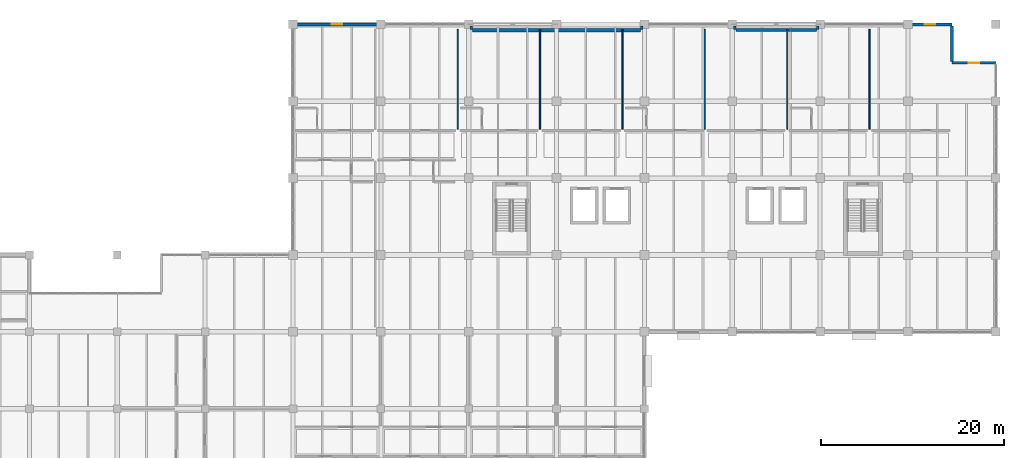
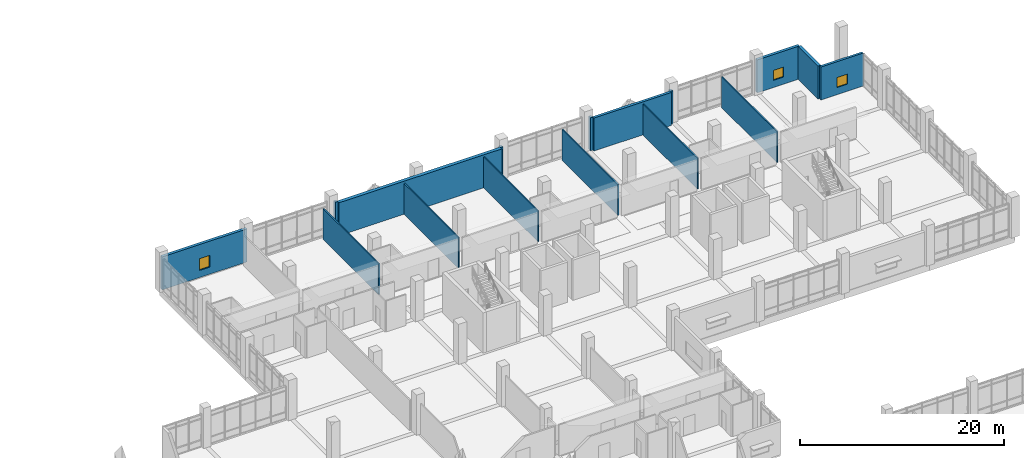
# One storey, part 134 of 152: 16 walls, 3 windows, 3 openings.
"""IFC4 building model written with IfcOpenShell, lengths in metres."""

import ifcopenshell
import ifcopenshell.guid

model = None  # the IFC model being written
_history = None  # IfcOwnerHistory: only IFC2X3 demands one
_inside = {}  # id of a spatial element -> (the spatial element, [elements in it])
_under = {}  # id of a project, library or spatial element -> (it, [spatial elements below it])
_declared = {}  # id of a project -> (the project, [libraries it declares])
_typed = {}  # id of a type object -> (the type object, [elements of that type])
_made_of = {}  # id of a material, layer set ... -> (it, [elements and type objects made of it])


def new_model(schema):
    """Start an empty IFC model of exactly this schema.

    Asked for "IFC4X3", IfcOpenShell would pick the latest addendum, in which some entities
    have other attributes; the version numbers below select the first issue.
    IFC2X3 requires an IfcOwnerHistory on every rooted entity: one is made here for all.
    """
    global model, _history
    if schema == "IFC4X3":
        model = ifcopenshell.file(schema_version=(4, 3, 0, 0))
    else:
        model = ifcopenshell.file(schema=schema)
    _inside.clear()
    _under.clear()
    _declared.clear()
    _typed.clear()
    _made_of.clear()
    _history = None
    if model.schema == "IFC2X3":
        org = make("IfcOrganization", Name="unknown")
        user = make(
            "IfcPersonAndOrganization",
            ThePerson=make("IfcPerson", FamilyName="unknown"),
            TheOrganization=org,
        )
        app = make(
            "IfcApplication",
            ApplicationDeveloper=org,
            Version="unknown",
            ApplicationFullName="unknown",
            ApplicationIdentifier="unknown",
        )
        _history = make(
            "IfcOwnerHistory",
            OwningUser=user,
            OwningApplication=app,
            ChangeAction="ADDED",
            CreationDate=0,
        )
    return model


def make(cls, **values):
    """One entity of the class cls with the attributes given. An attribute that is None is left unset."""
    return model.create_entity(
        cls, **{name: value for name, value in values.items() if value is not None}
    )


def rooted(cls, **values):
    """An entity with a GlobalId (a new one), such as an element, a storey or a relation."""
    return make(cls, GlobalId=ifcopenshell.guid.new(), OwnerHistory=_history, **values)


def si_unit(unit_type, name, prefix=None):
    """IfcSIUnit, for example si_unit("LENGTHUNIT", "METRE", prefix="MILLI")."""
    return make("IfcSIUnit", UnitType=unit_type, Prefix=prefix, Name=name)


def assignment(units):
    """IfcUnitAssignment: the units of a project."""
    return None if units is None else make("IfcUnitAssignment", Units=units)


def point(xyz):
    """IfcCartesianPoint."""
    return None if xyz is None else make("IfcCartesianPoint", Coordinates=xyz)


def direction(xyz):
    """IfcDirection."""
    return None if xyz is None else make("IfcDirection", DirectionRatios=xyz)


def frame(location, z_axis=None, x_axis=None):
    """IfcAxis2Placement3D, a coordinate frame: its origin and axes. An axis left out is left unset."""
    return make(
        "IfcAxis2Placement3D",
        Location=point(location),
        Axis=direction(z_axis),
        RefDirection=direction(x_axis),
    )


def frame_2d(location, x_axis=None):
    """IfcAxis2Placement2D, a coordinate frame in the plane: its origin and x axis."""
    return make(
        "IfcAxis2Placement2D", Location=point(location), RefDirection=direction(x_axis)
    )


def origin():
    """The frame at (0, 0, 0) with its axes left unset."""
    return frame((0.0, 0.0, 0.0))


def place(relative_to, where):
    """IfcLocalPlacement: puts the frame where relative to a parent placement (None: the world)."""
    return make(
        "IfcLocalPlacement", PlacementRelTo=relative_to, RelativePlacement=where
    )


def context(
    kind, dimensions, precision=None, world=None, true_north=None, identifier=None
):
    """IfcGeometricRepresentationContext, for example the 3D "Model" context."""
    return make(
        "IfcGeometricRepresentationContext",
        ContextIdentifier=identifier,
        ContextType=kind,
        CoordinateSpaceDimension=dimensions,
        Precision=precision,
        WorldCoordinateSystem=world,
        TrueNorth=true_north,
    )


def subcontext(parent, identifier, kind, view, scale=None):
    """IfcGeometricRepresentationSubContext, for example "Body" below "Model"."""
    return make(
        "IfcGeometricRepresentationSubContext",
        ContextIdentifier=identifier,
        ContextType=kind,
        ParentContext=parent,
        TargetScale=scale,
        TargetView=view,
    )


def project(units=None, contexts=None):
    """IfcProject with its units and contexts."""
    return rooted(
        "IfcProject",
        Name="project",
        RepresentationContexts=contexts,
        UnitsInContext=assignment(units),
    )


def spatial(cls, under=None, at=None, **own):
    """A site, building, storey or space (cls), placed at a placement, below another one or the project."""
    s = rooted(cls, ObjectPlacement=at, **own)
    if under is not None:
        _under.setdefault(under.id(), (under, []))[1].append(s)
    return s


def profile(cls, at=None, kind="AREA", **sizes):
    """A parametric profile (cls). Its sizes go by their IFC names, for example OverallWidth=200.0."""
    return make(cls, ProfileType=kind, Position=at, **sizes)


def rectangle(**sizes):
    """IfcRectangleProfileDef."""
    return profile("IfcRectangleProfileDef", **sizes)


def extrude(swept, where, along, depth):
    """IfcExtrudedAreaSolid: the profile swept, set in the frame where, extruded along a direction by depth."""
    return make(
        "IfcExtrudedAreaSolid",
        SweptArea=swept,
        Position=where,
        ExtrudedDirection=direction(along),
        Depth=depth,
    )


def shape(context_of_items, identifier, shape_type, items):
    """IfcShapeRepresentation: the items that make up one representation, for example the "Body"."""
    return make(
        "IfcShapeRepresentation",
        ContextOfItems=context_of_items,
        RepresentationIdentifier=identifier,
        RepresentationType=shape_type,
        Items=items,
    )


def material(Name=None, Category=None):
    """IfcMaterial."""
    return make("IfcMaterial", Name=Name, Category=Category)


def layer(
    of_material, thickness, ventilated=None, Name=None, Category=None, Priority=None
):
    """IfcMaterialLayer: one layer of a wall or slab, of a material (None: an air gap)."""
    return make(
        "IfcMaterialLayer",
        Material=of_material,
        LayerThickness=thickness,
        IsVentilated=ventilated,
        Name=Name,
        Category=Category,
        Priority=Priority,
    )


def layer_set(layers, Name=None):
    """IfcMaterialLayerSet."""
    return make("IfcMaterialLayerSet", MaterialLayers=layers, LayerSetName=Name)


def made_of(thing, what):
    """Note that an element or type object is made of a material, layer set ...; save() writes the relation."""
    if what is not None:
        _made_of.setdefault(what.id(), (what, []))[1].append(thing)
    return thing


def type_object(cls, material=None, **own):
    """A type object (cls), such as IfcWallType, which elements share."""
    return made_of(rooted(cls, **own), material)


def element(
    cls,
    number,
    at=None,
    inside=None,
    cuts=None,
    type_object=None,
    material=None,
    context=None,
    identifier="Body",
    shape_type=None,
    held_by="IfcProductDefinitionShape",
    body=None,
    shapes=None,
    **own,
):
    """One element of the class cls, such as IfcWall. Its Tag is "e" and its number.

    at: its placement. inside: the storey or other place that contains it. cuts: it is an
    opening in that element (IfcRelVoidsElement). A single representation is given by context,
    identifier, shape_type and body (its items); several are given by shapes. held_by: the class
    of the entity that holds the representations. save() writes the other relations.
    """
    e = rooted(cls, Tag="e%d" % number, ObjectPlacement=at, **own)
    if body is not None:
        shapes = [shape(context, identifier, shape_type, body)]
    if shapes is not None:
        e.Representation = make(held_by, Representations=shapes)
    if inside is not None:
        _inside.setdefault(inside.id(), (inside, []))[1].append(e)
    if cuts is not None:
        rooted(
            "IfcRelVoidsElement", RelatingBuildingElement=cuts, RelatedOpeningElement=e
        )
    if type_object is not None:
        _typed.setdefault(type_object.id(), (type_object, []))[1].append(e)
    return made_of(e, material)


def fill(opening, filler):
    """IfcRelFillsElement: the door or window that sits in an opening."""
    return rooted(
        "IfcRelFillsElement",
        RelatingOpeningElement=opening,
        RelatedBuildingElement=filler,
    )


def aggregate(whole, parts):
    """IfcRelAggregates: a whole, such as a stair, and the parts it consists of."""
    return rooted("IfcRelAggregates", RelatingObject=whole, RelatedObjects=parts)


def save(model, path):
    """Write the relations noted so far, then the file.

    IfcRelAggregates (storeys below a building ...), IfcRelContainedInSpatialStructure (elements
    in a storey), IfcRelDefinesByType, IfcRelAssociatesMaterial and IfcRelDeclares: one each for
    every whole, place, type object, material and project.
    """
    for whole, parts in _under.values():
        aggregate(whole, parts)
    for where, things in _inside.values():
        rooted(
            "IfcRelContainedInSpatialStructure",
            RelatedElements=things,
            RelatingStructure=where,
        )
    for kind, things in _typed.values():
        rooted("IfcRelDefinesByType", RelatedObjects=things, RelatingType=kind)
    for what, things in _made_of.values():
        rooted("IfcRelAssociatesMaterial", RelatedObjects=things, RelatingMaterial=what)
    for by, libraries in _declared.values():
        rooted("IfcRelDeclares", RelatingContext=by, RelatedDefinitions=libraries)
    model.write(path)


model = new_model("IFC4")

# Units and contexts
model_context = context("Model", 3, precision=1e-05, world=origin(), true_north=direction((0.0, 1.0)))
body_context = subcontext(model_context, "Body", "Model", "MODEL_VIEW")
ifc_project = project(units=[si_unit("LENGTHUNIT", "METRE"), si_unit("AREAUNIT", "SQUARE_METRE"), si_unit("VOLUMEUNIT", "CUBIC_METRE"), si_unit("PLANEANGLEUNIT", "RADIAN"), si_unit("MASSUNIT", "GRAM", prefix="KILO")], contexts=[model_context])

# Site, building, storey
site_placement = place(None, origin())
site = spatial("IfcSite", under=ifc_project, at=site_placement, CompositionType="ELEMENT")
building_placement = place(site_placement, origin())
building = spatial("IfcBuilding", under=site, at=building_placement, Name="Oolite Switchyard Hospital", CompositionType="ELEMENT")
storey_placement = place(building_placement, frame((0.0, 0.0, 5.10009765625)))
storey = spatial("IfcBuildingStorey", under=building, at=storey_placement, Name="L01", CompositionType="ELEMENT", Elevation=5.10009765625)

# Wall, opening, window
ifc_material_1 = material(Name="Precast oolitic limestone architectural concrete C40/50", Category="masonry")
ifc_layer_1 = layer(ifc_material_1, 0.260009765625)
ifc_layer_set_1 = layer_set([ifc_layer_1], Name="WAL-EXT-260")
wall_type_1 = type_object("IfcWallType", Name="WAL-EXT-260", PredefinedType="SOLIDWALL", material=ifc_layer_set_1)
wall_1_placement = place(storey_placement, frame((206.39990234375, 130.199951171875, 0.0), z_axis=(0.0, 0.0, 1.0), x_axis=(1.0, 0.0, 0.0)))
wall_1 = element("IfcWall", 1, at=wall_1_placement, inside=storey, type_object=wall_type_1, Name="L01 Exterior Spandrel Wall 90", PredefinedType="SOLIDWALL", context=body_context, shape_type="SweptSolid", body=[
    extrude(rectangle(XDim=4.800048828125, YDim=0.260009765625, at=frame_2d((2.39990234375, 0.0))), origin(), (0.0, 0.0, 1.0), 3.93994140625),
])
opening_1_placement = place(wall_1_placement, frame((1.824951171875, 0.0, 0.85009765625)))
opening_1 = element("IfcOpeningElement", 2, at=opening_1_placement, cuts=wall_1, Name="Opening WN-0035", PredefinedType="OPENING", context=body_context, shape_type="SweptSolid", body=[
    extrude(rectangle(XDim=1.14990234375, YDim=1.199951171875, at=frame_2d((0.574951171875, 0.60009765625))), frame((0.0, 0.14013671875, 0.0), z_axis=(0.0, -1.0, 0.0), x_axis=(1.0, 0.0, 0.0)), (0.0, 0.0, 1.0), 0.280029296875),
])
ifc_material_2 = material(Name="Thermally broken aluminum frame with laminated impact glazing", Category="aluminium")
window_type_1 = type_object("IfcWindowType", Name="WIN-IMP-115X120", PartitioningType="SINGLE_PANEL", PredefinedType="WINDOW", material=ifc_material_2)
window_1_placement = place(opening_1_placement, origin())
window_1 = element("IfcWindow", 3, at=window_1_placement, inside=storey, type_object=window_type_1, Name="L01 Hurricane Impact Window WN-0035", OverallHeight=1.199951171875, OverallWidth=1.14990234375, PartitioningType="SINGLE_PANEL", PredefinedType="WINDOW", context=body_context, shape_type="SweptSolid", body=[
    extrude(rectangle(XDim=1.14990234375, YDim=1.199951171875, at=frame_2d((0.574951171875, 0.60009765625))), frame((0.0, 0.030029296875, 0.0), z_axis=(0.0, -1.0, 0.0), x_axis=(1.0, 0.0, 0.0)), (0.0, 0.0, 1.0), 0.06005859375),
])
fill(opening_1, window_1)

# Walls
for number, where, z_axis, x_axis, name in (
    (4, (153.8798828125, 134.199951171875, 0.0), (0.0, 0.0, 1.0), (0.0, -1.0, 0.0), "L01 Brace Alcove Cheek Wall 94"),
    (5, (172.52001953125, 134.199951171875, 0.0), (0.0, 0.0, 1.0), (0.0, -1.0, 0.0), "L01 Brace Alcove Cheek Wall 95"),
    (6, (182.679931640625, 134.199951171875, 0.0), (0.0, 0.0, 1.0), (0.0, -1.0, 0.0), "L01 Brace Alcove Cheek Wall 97"),
    (7, (191.719970703125, 134.199951171875, 0.0), (0.0, 0.0, 1.0), (0.0, -1.0, 0.0), "L01 Brace Alcove Cheek Wall 98"),
):
    element("IfcWall", number, at=place(storey_placement, frame(where, z_axis=z_axis, x_axis=x_axis)), inside=storey, type_object=wall_type_1, Name=name, PredefinedType="SOLIDWALL", context=body_context, shape_type="SweptSolid", body=[
        extrude(rectangle(XDim=0.35986328125, YDim=0.260009765625, at=frame_2d((0.179931640625, 0.0))), origin(), (0.0, 0.0, 1.0), 3.93994140625),
    ])
ifc_layer_2 = layer(ifc_material_1, 0.300048828125)
ifc_layer_set_2 = layer_set([ifc_layer_2], Name="WAL-EXT-300")
wall_type_2 = type_object("IfcWallType", Name="WAL-EXT-300", PredefinedType="SOLIDWALL", material=ifc_layer_set_2)
wall_2_placement = place(storey_placement, frame((182.820068359375, 133.780029296875, 0.0), z_axis=(0.0, 0.0, 1.0), x_axis=(1.0, 0.0, 0.0)))
element("IfcWall", 8, at=wall_2_placement, inside=storey, type_object=wall_type_2, Name="L01 Exterior Spandrel Wall 99", PredefinedType="SOLIDWALL", context=body_context, shape_type="SweptSolid", body=[
    extrude(rectangle(XDim=8.760009765625, YDim=0.300048828125, at=frame_2d((4.3798828125, 0.0))), origin(), (0.0, 0.0, 1.0), 3.93994140625),
])

# Wall, opening, window
ifc_layer_3 = layer(ifc_material_1, 0.320068359375)
ifc_layer_set_3 = layer_set([ifc_layer_3], Name="WAL-EXT-320")
wall_type_3 = type_object("IfcWallType", Name="WAL-EXT-320", PredefinedType="SOLIDWALL", material=ifc_layer_set_3)
wall_3_placement = place(storey_placement, frame((134.39990234375, 134.39990234375, 0.0), z_axis=(0.0, 0.0, 1.0), x_axis=(1.0, 0.0, 0.0)))
wall_3 = element("IfcWall", 9, at=wall_3_placement, inside=storey, type_object=wall_type_3, Name="L01 Exterior Spandrel Wall 93", PredefinedType="SOLIDWALL", context=body_context, shape_type="SweptSolid", body=[
    extrude(rectangle(XDim=9.60009765625, YDim=0.320068359375, at=frame_2d((4.800048828125, 0.0))), origin(), (0.0, 0.0, 1.0), 3.93994140625),
])
opening_2_placement = place(wall_3_placement, frame((4.22509765625, 0.0, 0.85009765625)))
opening_2 = element("IfcOpeningElement", 10, at=opening_2_placement, cuts=wall_3, Name="Opening WN-0038", PredefinedType="OPENING", context=body_context, shape_type="SweptSolid", body=[
    extrude(rectangle(XDim=1.14990234375, YDim=1.39990234375, at=frame_2d((0.574951171875, 0.699951171875))), frame((0.0, 0.169921875, 0.0), z_axis=(0.0, -1.0, 0.0), x_axis=(1.0, 0.0, 0.0)), (0.0, 0.0, 1.0), 0.340087890625),
])
window_type_2 = type_object("IfcWindowType", Name="WIN-IMP-115X140", PartitioningType="SINGLE_PANEL", PredefinedType="WINDOW", material=ifc_material_2)
window_2_placement = place(opening_2_placement, origin())
window_2 = element("IfcWindow", 11, at=window_2_placement, inside=storey, type_object=window_type_2, Name="L01 Hurricane Impact Window WN-0038", OverallHeight=1.39990234375, OverallWidth=1.14990234375, PartitioningType="SINGLE_PANEL", PredefinedType="WINDOW", context=body_context, shape_type="SweptSolid", body=[
    extrude(rectangle(XDim=1.14990234375, YDim=1.39990234375, at=frame_2d((0.574951171875, 0.699951171875))), frame((0.0, 0.030029296875, 0.0), z_axis=(0.0, -1.0, 0.0), x_axis=(1.0, 0.0, 0.0)), (0.0, 0.0, 1.0), 0.06005859375),
])
fill(opening_2, window_2)

wall_4_placement = place(storey_placement, frame((201.60009765625, 134.39990234375, 0.0), z_axis=(0.0, 0.0, 1.0), x_axis=(1.0, 0.0, 0.0)))
wall_4 = element("IfcWall", 12, at=wall_4_placement, inside=storey, type_object=wall_type_3, Name="L01 Exterior Spandrel Wall 100", PredefinedType="SOLIDWALL", context=body_context, shape_type="SweptSolid", body=[
    extrude(rectangle(XDim=4.7998046875, YDim=0.320068359375, at=frame_2d((2.39990234375, 0.0))), origin(), (0.0, 0.0, 1.0), 3.93994140625),
])
opening_3_placement = place(wall_4_placement, frame((1.824951171875, 0.0, 0.85009765625)))
opening_3 = element("IfcOpeningElement", 13, at=opening_3_placement, cuts=wall_4, Name="Opening WN-0039", PredefinedType="OPENING", context=body_context, shape_type="SweptSolid", body=[
    extrude(rectangle(XDim=1.14990234375, YDim=1.199951171875, at=frame_2d((0.574951171875, 0.60009765625))), frame((0.0, 0.169921875, 0.0), z_axis=(0.0, -1.0, 0.0), x_axis=(1.0, 0.0, 0.0)), (0.0, 0.0, 1.0), 0.340087890625),
])
window_3_placement = place(opening_3_placement, origin())
window_3 = element("IfcWindow", 14, at=window_3_placement, inside=storey, type_object=window_type_1, Name="L01 Hurricane Impact Window WN-0039", OverallHeight=1.199951171875, OverallWidth=1.14990234375, PartitioningType="SINGLE_PANEL", PredefinedType="WINDOW", context=body_context, shape_type="SweptSolid", body=[
    extrude(rectangle(XDim=1.14990234375, YDim=1.199951171875, at=frame_2d((0.574951171875, 0.60009765625))), frame((0.0, 0.030029296875, 0.0), z_axis=(0.0, -1.0, 0.0), x_axis=(1.0, 0.0, 0.0)), (0.0, 0.0, 1.0), 0.06005859375),
])
fill(opening_3, window_3)

# Walls
ifc_layer_4 = layer(ifc_material_1, 0.360107421875)
ifc_layer_set_4 = layer_set([ifc_layer_4], Name="WAL-EXT-360")
wall_type_4 = type_object("IfcWallType", Name="WAL-EXT-360", PredefinedType="SOLIDWALL", material=ifc_layer_set_4)
wall_5_placement = place(storey_placement, frame((206.39990234375, 134.239990234375, 0.0), z_axis=(0.0, 0.0, 1.0), x_axis=(0.0, -1.0, 0.0)))
element("IfcWall", 15, at=wall_5_placement, inside=storey, type_object=wall_type_4, Name="L01 Exterior Spandrel Wall 123", PredefinedType="SOLIDWALL", context=body_context, shape_type="SweptSolid", body=[
    extrude(rectangle(XDim=3.8798828125, YDim=0.360107421875, at=frame_2d((1.93994140625, 0.0))), origin(), (0.0, 0.0, 1.0), 3.93994140625),
])
ifc_layer_5 = layer(ifc_material_1, 0.3798828125)
ifc_layer_set_5 = layer_set([ifc_layer_5], Name="WAL-EXT-380")
wall_type_5 = type_object("IfcWallType", Name="WAL-EXT-380", PredefinedType="SOLIDWALL", material=ifc_layer_set_5)
wall_6_placement = place(storey_placement, frame((154.02001953125, 133.780029296875, 0.0), z_axis=(0.0, 0.0, 1.0), x_axis=(1.0, 0.0, 0.0)))
element("IfcWall", 16, at=wall_6_placement, inside=storey, type_object=wall_type_5, Name="L01 Exterior Spandrel Wall 96", PredefinedType="SOLIDWALL", context=body_context, shape_type="SweptSolid", body=[
    extrude(rectangle(XDim=18.35986328125, YDim=0.3798828125, at=frame_2d((9.179931640625, 0.0))), origin(), (0.0, 0.0, 1.0), 3.93994140625),
])
ifc_material_3 = material(Name="Moisture-resistant gypsum board on steel studs", Category="steel")
ifc_layer_6 = layer(ifc_material_3, 0.135009765625)
ifc_layer_set_6 = layer_set([ifc_layer_6], Name="WAL-PART-135")
wall_type_6 = type_object("IfcWallType", Name="WAL-PART-135", PredefinedType="PARTITIONING", material=ifc_layer_set_6)
for number, where, z_axis, x_axis, name in (
    (17, (152.39990234375, 122.949951171875, 0.0), (0.0, 0.0, 1.0), (0.0, 1.0, 0.0), "L01 Interior Partition 340"),
    (18, (161.39990234375, 122.949951171875, 0.0), (0.0, 0.0, 1.0), (0.0, 1.0, 0.0), "L01 Interior Partition 342"),
    (19, (170.39990234375, 122.949951171875, 0.0), (0.0, 0.0, 1.0), (0.0, 1.0, 0.0), "L01 Interior Partition 346"),
    (20, (179.39990234375, 122.949951171875, 0.0), (0.0, 0.0, 1.0), (0.0, 1.0, 0.0), "L01 Interior Partition 348"),
    (21, (188.39990234375, 122.949951171875, 0.0), (0.0, 0.0, 1.0), (0.0, 1.0, 0.0), "L01 Interior Partition 352"),
    (22, (197.39990234375, 122.949951171875, 0.0), (0.0, 0.0, 1.0), (0.0, 1.0, 0.0), "L01 Interior Partition 354"),
):
    element("IfcWall", number, at=place(storey_placement, frame(where, z_axis=z_axis, x_axis=x_axis)), inside=storey, type_object=wall_type_6, Name=name, PredefinedType="PARTITIONING", context=body_context, shape_type="SweptSolid", body=[
        extrude(rectangle(XDim=10.900146484375, YDim=0.135009765625, at=frame_2d((5.4501953125, 0.0))), origin(), (0.0, 0.0, 1.0), 3.679931640625),
    ])

save(model, "model.ifc")
